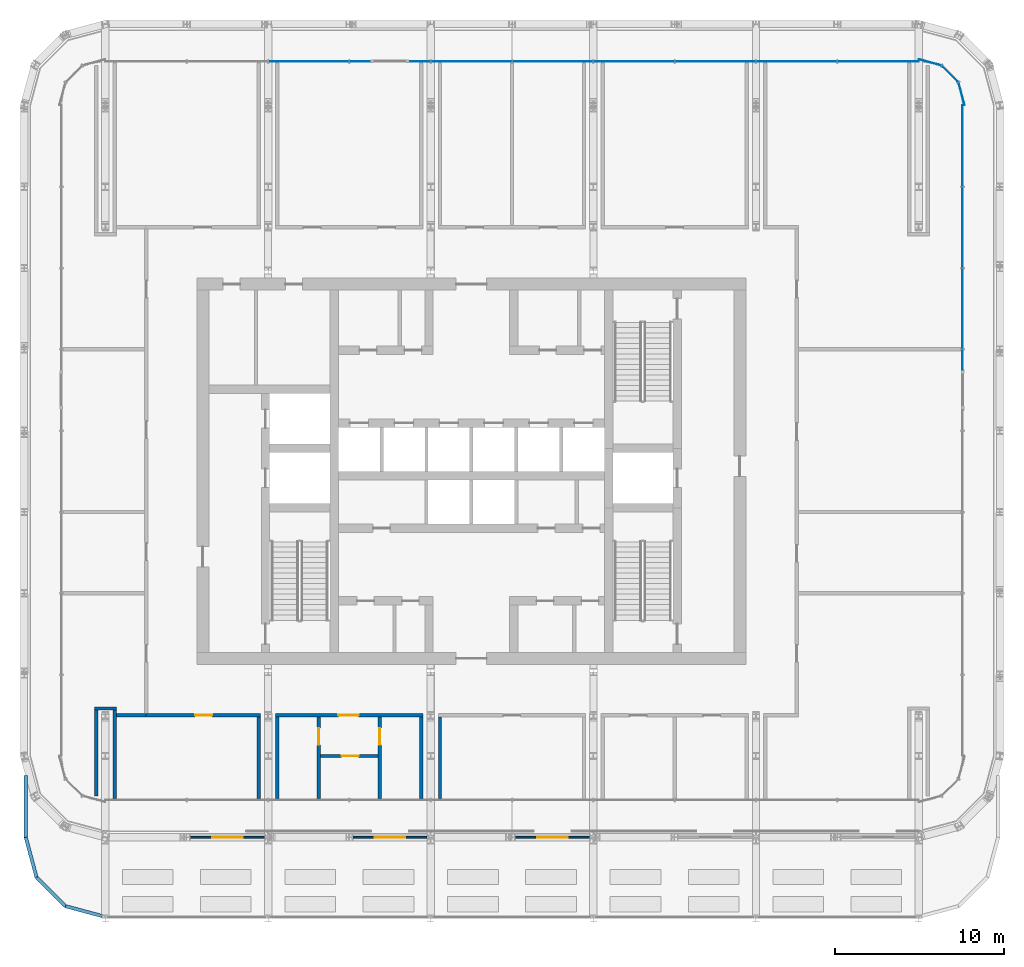
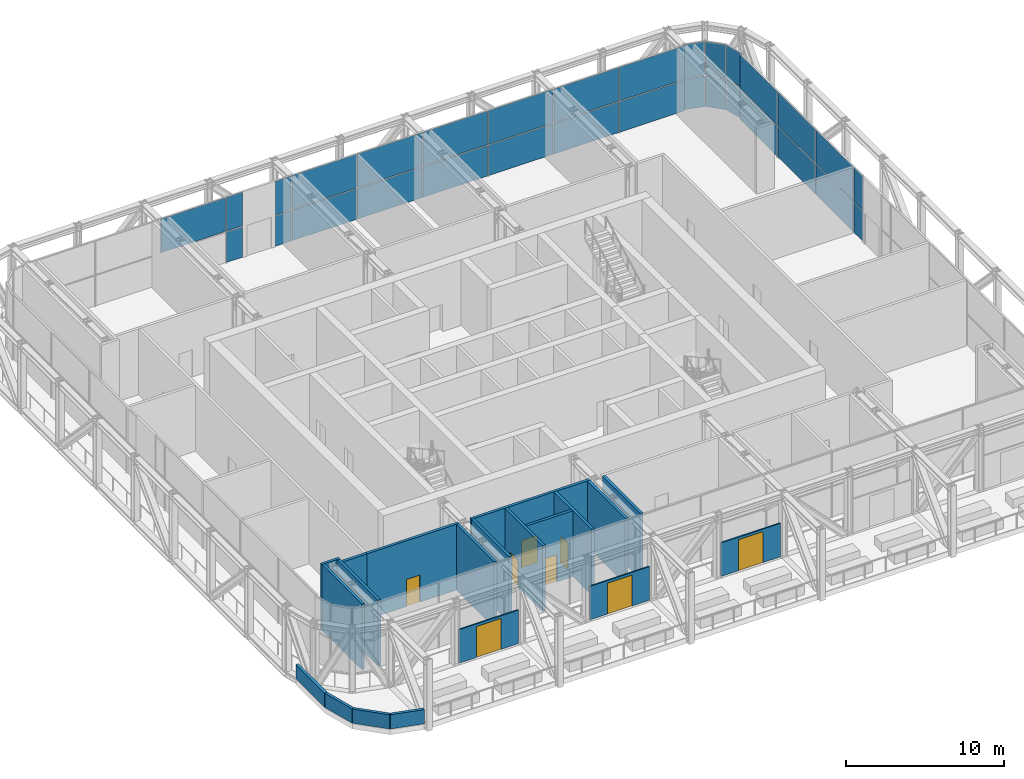
# One storey, part 13 of 22: 31 plates, 20 walls, 8 doors, 8 openings, 3 elements without a shape of their own.
"""IFC4 building model written with IfcOpenShell, lengths in metres."""

import ifcopenshell
import ifcopenshell.guid

model = None  # the IFC model being written
_history = None  # IfcOwnerHistory: only IFC2X3 demands one
_inside = {}  # id of a spatial element -> (the spatial element, [elements in it])
_under = {}  # id of a project, library or spatial element -> (it, [spatial elements below it])
_declared = {}  # id of a project -> (the project, [libraries it declares])
_typed = {}  # id of a type object -> (the type object, [elements of that type])
_made_of = {}  # id of a material, layer set ... -> (it, [elements and type objects made of it])


def new_model(schema):
    """Start an empty IFC model of exactly this schema.

    Asked for "IFC4X3", IfcOpenShell would pick the latest addendum, in which some entities
    have other attributes; the version numbers below select the first issue.
    IFC2X3 requires an IfcOwnerHistory on every rooted entity: one is made here for all.
    """
    global model, _history
    if schema == "IFC4X3":
        model = ifcopenshell.file(schema_version=(4, 3, 0, 0))
    else:
        model = ifcopenshell.file(schema=schema)
    _inside.clear()
    _under.clear()
    _declared.clear()
    _typed.clear()
    _made_of.clear()
    _history = None
    if model.schema == "IFC2X3":
        org = make("IfcOrganization", Name="unknown")
        user = make(
            "IfcPersonAndOrganization",
            ThePerson=make("IfcPerson", FamilyName="unknown"),
            TheOrganization=org,
        )
        app = make(
            "IfcApplication",
            ApplicationDeveloper=org,
            Version="unknown",
            ApplicationFullName="unknown",
            ApplicationIdentifier="unknown",
        )
        _history = make(
            "IfcOwnerHistory",
            OwningUser=user,
            OwningApplication=app,
            ChangeAction="ADDED",
            CreationDate=0,
        )
    return model


def make(cls, **values):
    """One entity of the class cls with the attributes given. An attribute that is None is left unset."""
    return model.create_entity(
        cls, **{name: value for name, value in values.items() if value is not None}
    )


def rooted(cls, **values):
    """An entity with a GlobalId (a new one), such as an element, a storey or a relation."""
    return make(cls, GlobalId=ifcopenshell.guid.new(), OwnerHistory=_history, **values)


def si_unit(unit_type, name, prefix=None):
    """IfcSIUnit, for example si_unit("LENGTHUNIT", "METRE", prefix="MILLI")."""
    return make("IfcSIUnit", UnitType=unit_type, Prefix=prefix, Name=name)


def assignment(units):
    """IfcUnitAssignment: the units of a project."""
    return None if units is None else make("IfcUnitAssignment", Units=units)


def point(xyz):
    """IfcCartesianPoint."""
    return None if xyz is None else make("IfcCartesianPoint", Coordinates=xyz)


def direction(xyz):
    """IfcDirection."""
    return None if xyz is None else make("IfcDirection", DirectionRatios=xyz)


def frame(location, z_axis=None, x_axis=None):
    """IfcAxis2Placement3D, a coordinate frame: its origin and axes. An axis left out is left unset."""
    return make(
        "IfcAxis2Placement3D",
        Location=point(location),
        Axis=direction(z_axis),
        RefDirection=direction(x_axis),
    )


def frame_2d(location, x_axis=None):
    """IfcAxis2Placement2D, a coordinate frame in the plane: its origin and x axis."""
    return make(
        "IfcAxis2Placement2D", Location=point(location), RefDirection=direction(x_axis)
    )


def origin():
    """The frame at (0, 0, 0) with its axes left unset."""
    return frame((0.0, 0.0, 0.0))


def origin_2d():
    """The frame at (0, 0) in the plane with its x axis left unset."""
    return frame_2d((0.0, 0.0))


def place(relative_to, where):
    """IfcLocalPlacement: puts the frame where relative to a parent placement (None: the world)."""
    return make(
        "IfcLocalPlacement", PlacementRelTo=relative_to, RelativePlacement=where
    )


def context(
    kind, dimensions, precision=None, world=None, true_north=None, identifier=None
):
    """IfcGeometricRepresentationContext, for example the 3D "Model" context."""
    return make(
        "IfcGeometricRepresentationContext",
        ContextIdentifier=identifier,
        ContextType=kind,
        CoordinateSpaceDimension=dimensions,
        Precision=precision,
        WorldCoordinateSystem=world,
        TrueNorth=true_north,
    )


def subcontext(parent, identifier, kind, view, scale=None):
    """IfcGeometricRepresentationSubContext, for example "Body" below "Model"."""
    return make(
        "IfcGeometricRepresentationSubContext",
        ContextIdentifier=identifier,
        ContextType=kind,
        ParentContext=parent,
        TargetScale=scale,
        TargetView=view,
    )


def project(units=None, contexts=None):
    """IfcProject with its units and contexts."""
    return rooted(
        "IfcProject",
        Name="project",
        RepresentationContexts=contexts,
        UnitsInContext=assignment(units),
    )


def spatial(cls, under=None, at=None, **own):
    """A site, building, storey or space (cls), placed at a placement, below another one or the project."""
    s = rooted(cls, ObjectPlacement=at, **own)
    if under is not None:
        _under.setdefault(under.id(), (under, []))[1].append(s)
    return s


def profile(cls, at=None, kind="AREA", **sizes):
    """A parametric profile (cls). Its sizes go by their IFC names, for example OverallWidth=200.0."""
    return make(cls, ProfileType=kind, Position=at, **sizes)


def rectangle(**sizes):
    """IfcRectangleProfileDef."""
    return profile("IfcRectangleProfileDef", **sizes)


def extrude(swept, where, along, depth):
    """IfcExtrudedAreaSolid: the profile swept, set in the frame where, extruded along a direction by depth."""
    return make(
        "IfcExtrudedAreaSolid",
        SweptArea=swept,
        Position=where,
        ExtrudedDirection=direction(along),
        Depth=depth,
    )


def shape(context_of_items, identifier, shape_type, items):
    """IfcShapeRepresentation: the items that make up one representation, for example the "Body"."""
    return make(
        "IfcShapeRepresentation",
        ContextOfItems=context_of_items,
        RepresentationIdentifier=identifier,
        RepresentationType=shape_type,
        Items=items,
    )


def material(Name=None, Category=None):
    """IfcMaterial."""
    return make("IfcMaterial", Name=Name, Category=Category)


def layer(
    of_material, thickness, ventilated=None, Name=None, Category=None, Priority=None
):
    """IfcMaterialLayer: one layer of a wall or slab, of a material (None: an air gap)."""
    return make(
        "IfcMaterialLayer",
        Material=of_material,
        LayerThickness=thickness,
        IsVentilated=ventilated,
        Name=Name,
        Category=Category,
        Priority=Priority,
    )


def layer_set(layers, Name=None):
    """IfcMaterialLayerSet."""
    return make("IfcMaterialLayerSet", MaterialLayers=layers, LayerSetName=Name)


def made_of(thing, what):
    """Note that an element or type object is made of a material, layer set ...; save() writes the relation."""
    if what is not None:
        _made_of.setdefault(what.id(), (what, []))[1].append(thing)
    return thing


def type_object(cls, material=None, **own):
    """A type object (cls), such as IfcWallType, which elements share."""
    return made_of(rooted(cls, **own), material)


def element(
    cls,
    number,
    at=None,
    inside=None,
    cuts=None,
    type_object=None,
    material=None,
    context=None,
    identifier="Body",
    shape_type=None,
    held_by="IfcProductDefinitionShape",
    body=None,
    shapes=None,
    **own,
):
    """One element of the class cls, such as IfcWall. Its Tag is "e" and its number.

    at: its placement. inside: the storey or other place that contains it. cuts: it is an
    opening in that element (IfcRelVoidsElement). A single representation is given by context,
    identifier, shape_type and body (its items); several are given by shapes. held_by: the class
    of the entity that holds the representations. save() writes the other relations.
    """
    e = rooted(cls, Tag="e%d" % number, ObjectPlacement=at, **own)
    if body is not None:
        shapes = [shape(context, identifier, shape_type, body)]
    if shapes is not None:
        e.Representation = make(held_by, Representations=shapes)
    if inside is not None:
        _inside.setdefault(inside.id(), (inside, []))[1].append(e)
    if cuts is not None:
        rooted(
            "IfcRelVoidsElement", RelatingBuildingElement=cuts, RelatedOpeningElement=e
        )
    if type_object is not None:
        _typed.setdefault(type_object.id(), (type_object, []))[1].append(e)
    return made_of(e, material)


def fill(opening, filler):
    """IfcRelFillsElement: the door or window that sits in an opening."""
    return rooted(
        "IfcRelFillsElement",
        RelatingOpeningElement=opening,
        RelatedBuildingElement=filler,
    )


def aggregate(whole, parts):
    """IfcRelAggregates: a whole, such as a stair, and the parts it consists of."""
    return rooted("IfcRelAggregates", RelatingObject=whole, RelatedObjects=parts)


def save(model, path):
    """Write the relations noted so far, then the file.

    IfcRelAggregates (storeys below a building ...), IfcRelContainedInSpatialStructure (elements
    in a storey), IfcRelDefinesByType, IfcRelAssociatesMaterial and IfcRelDeclares: one each for
    every whole, place, type object, material and project.
    """
    for whole, parts in _under.values():
        aggregate(whole, parts)
    for where, things in _inside.values():
        rooted(
            "IfcRelContainedInSpatialStructure",
            RelatedElements=things,
            RelatingStructure=where,
        )
    for kind, things in _typed.values():
        rooted("IfcRelDefinesByType", RelatedObjects=things, RelatingType=kind)
    for what, things in _made_of.values():
        rooted("IfcRelAssociatesMaterial", RelatedObjects=things, RelatingMaterial=what)
    for by, libraries in _declared.values():
        rooted("IfcRelDeclares", RelatingContext=by, RelatedDefinitions=libraries)
    model.write(path)


model = new_model("IFC4")

# Units and contexts
model_context = context("Model", 3, precision=1e-05, world=origin(), true_north=direction((0.0, 1.0)))
body_context = subcontext(model_context, "Body", "Model", "MODEL_VIEW")
ifc_project = project(units=[si_unit("LENGTHUNIT", "METRE"), si_unit("AREAUNIT", "SQUARE_METRE"), si_unit("VOLUMEUNIT", "CUBIC_METRE"), si_unit("PLANEANGLEUNIT", "RADIAN"), si_unit("MASSUNIT", "GRAM", prefix="KILO")], contexts=[model_context])

# Site, building, storey
site_placement = place(None, origin())
site = spatial("IfcSite", under=ifc_project, at=site_placement, CompositionType="ELEMENT")
building_placement = place(site_placement, origin())
building = spatial("IfcBuilding", under=site, at=building_placement, Name="Madar Terraces", CompositionType="ELEMENT")
storey_placement = place(building_placement, frame((0.0, 0.0, 203.39990234375)))
storey = spatial("IfcBuildingStorey", under=building, at=storey_placement, Name="L53", CompositionType="ELEMENT", Elevation=203.39990234375)

# Curtain wall, plates
ifc_material_1 = material(Name="Glass, ceramic frit dark grey, with black aluminium frame", Category="aluminium")
ifc_layer_1 = layer(ifc_material_1, 0.199951171875)
ifc_layer_set_1 = layer_set([ifc_layer_1], Name="Facade curtain wall, tall glazing")
curtain_wall_type = type_object("IfcCurtainWallType", Name="Facade curtain wall, tall glazing", PredefinedType="NOTDEFINED", material=ifc_layer_set_1)
curtain_wall_1_placement = place(storey_placement, origin())
curtain_wall_1 = element("IfcCurtainWall", 1, at=curtain_wall_1_placement, inside=storey, type_object=curtain_wall_type, Name="Outer skin curtain wall east bay 1", PredefinedType="NOTDEFINED")
ifc_material_2 = material(Name="Glass, ceramic frit dark grey", Category="glass")
ifc_layer_2 = layer(ifc_material_2, 0.028076171875)
ifc_layer_set_2 = layer_set([ifc_layer_2], Name="Facade glass panel 28")
plate_type = type_object("IfcPlateType", Name="Facade glass panel 28", PredefinedType="CURTAIN_PANEL", material=ifc_layer_set_2)
plate_1_placement = place(storey_placement, frame((60.199951171875, 32.985107421875, 0.0), z_axis=(0.0, 0.0, 1.0), x_axis=(0.0, 1.0, 0.0)))
plate_1 = element("IfcPlate", 2, at=plate_1_placement, type_object=plate_type, Name="Panel 11", PredefinedType="CURTAIN_PANEL", context=body_context, shape_type="SweptSolid", body=[
    extrude(rectangle(XDim=1.169921875, YDim=0.028076171875, at=origin_2d()), origin(), (0.0, 0.0, 1.0), 2.3701171875),
])
plate_2_placement = place(storey_placement, frame((60.199951171875, 32.985107421875, 2.43017578125), z_axis=(0.0, 0.0, 1.0), x_axis=(0.0, 1.0, 0.0)))
plate_2 = element("IfcPlate", 3, at=plate_2_placement, type_object=plate_type, Name="Panel 12", PredefinedType="CURTAIN_PANEL", context=body_context, shape_type="SweptSolid", body=[
    extrude(rectangle(XDim=1.169921875, YDim=0.028076171875, at=origin_2d()), origin(), (0.0, 0.0, 1.0), 2.610107421875),
])
plate_3_placement = place(storey_placement, frame((60.199951171875, 36.0, 0.0), z_axis=(0.0, 0.0, 1.0), x_axis=(0.0, 1.0, 0.0)))
plate_3 = element("IfcPlate", 4, at=plate_3_placement, type_object=plate_type, Name="Panel 13", PredefinedType="CURTAIN_PANEL", context=body_context, shape_type="SweptSolid", body=[
    extrude(rectangle(XDim=4.739990234375, YDim=0.028076171875, at=origin_2d()), origin(), (0.0, 0.0, 1.0), 2.3701171875),
])
plate_4_placement = place(storey_placement, frame((60.199951171875, 36.0, 2.43017578125), z_axis=(0.0, 0.0, 1.0), x_axis=(0.0, 1.0, 0.0)))
plate_4 = element("IfcPlate", 5, at=plate_4_placement, type_object=plate_type, Name="Panel 14", PredefinedType="CURTAIN_PANEL", context=body_context, shape_type="SweptSolid", body=[
    extrude(rectangle(XDim=4.739990234375, YDim=0.028076171875, at=origin_2d()), origin(), (0.0, 0.0, 1.0), 2.610107421875),
])
plate_5_placement = place(storey_placement, frame((60.199951171875, 40.800048828125, 0.0), z_axis=(0.0, 0.0, 1.0), x_axis=(0.0, 1.0, 0.0)))
plate_5 = element("IfcPlate", 6, at=plate_5_placement, type_object=plate_type, Name="Panel 15", PredefinedType="CURTAIN_PANEL", context=body_context, shape_type="SweptSolid", body=[
    extrude(rectangle(XDim=4.739990234375, YDim=0.028076171875, at=origin_2d()), origin(), (0.0, 0.0, 1.0), 2.3701171875),
])
plate_6_placement = place(storey_placement, frame((60.199951171875, 40.800048828125, 2.43017578125), z_axis=(0.0, 0.0, 1.0), x_axis=(0.0, 1.0, 0.0)))
plate_6 = element("IfcPlate", 7, at=plate_6_placement, type_object=plate_type, Name="Panel 16", PredefinedType="CURTAIN_PANEL", context=body_context, shape_type="SweptSolid", body=[
    extrude(rectangle(XDim=4.739990234375, YDim=0.028076171875, at=origin_2d()), origin(), (0.0, 0.0, 1.0), 2.610107421875),
])
plate_7_placement = place(storey_placement, frame((60.199951171875, 45.614990234375, 0.0), z_axis=(0.0, 0.0, 1.0), x_axis=(0.0, 1.0, 0.0)))
plate_7 = element("IfcPlate", 8, at=plate_7_placement, type_object=plate_type, Name="Panel 17", PredefinedType="CURTAIN_PANEL", context=body_context, shape_type="SweptSolid", body=[
    extrude(rectangle(XDim=4.77001953125, YDim=0.028076171875, at=origin_2d()), origin(), (0.0, 0.0, 1.0), 2.3701171875),
])
plate_8_placement = place(storey_placement, frame((60.199951171875, 45.614990234375, 2.43017578125), z_axis=(0.0, 0.0, 1.0), x_axis=(0.0, 1.0, 0.0)))
plate_8 = element("IfcPlate", 9, at=plate_8_placement, type_object=plate_type, Name="Panel 18", PredefinedType="CURTAIN_PANEL", context=body_context, shape_type="SweptSolid", body=[
    extrude(rectangle(XDim=4.77001953125, YDim=0.028076171875, at=origin_2d()), origin(), (0.0, 0.0, 1.0), 2.610107421875),
])
aggregate(curtain_wall_1, [plate_1, plate_2, plate_3, plate_4, plate_5, plate_6, plate_7, plate_8])

curtain_wall_2_placement = place(storey_placement, origin())
curtain_wall_2 = element("IfcCurtainWall", 10, at=curtain_wall_2_placement, inside=storey, type_object=curtain_wall_type, Name="Outer skin curtain wall north bay 1", PredefinedType="NOTDEFINED")
plate_9_placement = place(storey_placement, frame((55.215087890625, 50.60009765625, 0.0), z_axis=(0.0, 0.0, 1.0), x_axis=(-1.0, 0.0, 0.0)))
plate_9 = element("IfcPlate", 11, at=plate_9_placement, type_object=plate_type, Name="Panel 1", PredefinedType="CURTAIN_PANEL", context=body_context, shape_type="SweptSolid", body=[
    extrude(rectangle(XDim=4.77001953125, YDim=0.028076171875, at=origin_2d()), origin(), (0.0, 0.0, 1.0), 2.3701171875),
])
plate_10_placement = place(storey_placement, frame((55.215087890625, 50.60009765625, 2.43017578125), z_axis=(0.0, 0.0, 1.0), x_axis=(-1.0, 0.0, 0.0)))
plate_10 = element("IfcPlate", 12, at=plate_10_placement, type_object=plate_type, Name="Panel 2", PredefinedType="CURTAIN_PANEL", context=body_context, shape_type="SweptSolid", body=[
    extrude(rectangle(XDim=4.77001953125, YDim=0.028076171875, at=origin_2d()), origin(), (0.0, 0.0, 1.0), 2.610107421875),
])
plate_11_placement = place(storey_placement, frame((50.39990234375, 50.60009765625, 0.0), z_axis=(0.0, 0.0, 1.0), x_axis=(-1.0, 0.0, 0.0)))
plate_11 = element("IfcPlate", 13, at=plate_11_placement, type_object=plate_type, Name="Panel 3", PredefinedType="CURTAIN_PANEL", context=body_context, shape_type="SweptSolid", body=[
    extrude(rectangle(XDim=4.739990234375, YDim=0.028076171875, at=origin_2d()), origin(), (0.0, 0.0, 1.0), 2.3701171875),
])
plate_12_placement = place(storey_placement, frame((50.39990234375, 50.60009765625, 2.43017578125), z_axis=(0.0, 0.0, 1.0), x_axis=(-1.0, 0.0, 0.0)))
plate_12 = element("IfcPlate", 14, at=plate_12_placement, type_object=plate_type, Name="Panel 4", PredefinedType="CURTAIN_PANEL", context=body_context, shape_type="SweptSolid", body=[
    extrude(rectangle(XDim=4.739990234375, YDim=0.028076171875, at=origin_2d()), origin(), (0.0, 0.0, 1.0), 2.610107421875),
])
plate_13_placement = place(storey_placement, frame((45.60009765625, 50.60009765625, 0.0), z_axis=(0.0, 0.0, 1.0), x_axis=(-1.0, 0.0, 0.0)))
plate_13 = element("IfcPlate", 15, at=plate_13_placement, type_object=plate_type, Name="Panel 5", PredefinedType="CURTAIN_PANEL", context=body_context, shape_type="SweptSolid", body=[
    extrude(rectangle(XDim=4.739990234375, YDim=0.028076171875, at=origin_2d()), origin(), (0.0, 0.0, 1.0), 2.3701171875),
])
plate_14_placement = place(storey_placement, frame((45.60009765625, 50.60009765625, 2.43017578125), z_axis=(0.0, 0.0, 1.0), x_axis=(-1.0, 0.0, 0.0)))
plate_14 = element("IfcPlate", 16, at=plate_14_placement, type_object=plate_type, Name="Panel 6", PredefinedType="CURTAIN_PANEL", context=body_context, shape_type="SweptSolid", body=[
    extrude(rectangle(XDim=4.739990234375, YDim=0.028076171875, at=origin_2d()), origin(), (0.0, 0.0, 1.0), 2.610107421875),
])
plate_15_placement = place(storey_placement, frame((40.800048828125, 50.60009765625, 0.0), z_axis=(0.0, 0.0, 1.0), x_axis=(-1.0, 0.0, 0.0)))
plate_15 = element("IfcPlate", 17, at=plate_15_placement, type_object=plate_type, Name="Panel 7", PredefinedType="CURTAIN_PANEL", context=body_context, shape_type="SweptSolid", body=[
    extrude(rectangle(XDim=4.739990234375, YDim=0.028076171875, at=origin_2d()), origin(), (0.0, 0.0, 1.0), 2.3701171875),
])
plate_16_placement = place(storey_placement, frame((40.800048828125, 50.60009765625, 2.43017578125), z_axis=(0.0, 0.0, 1.0), x_axis=(-1.0, 0.0, 0.0)))
plate_16 = element("IfcPlate", 18, at=plate_16_placement, type_object=plate_type, Name="Panel 8", PredefinedType="CURTAIN_PANEL", context=body_context, shape_type="SweptSolid", body=[
    extrude(rectangle(XDim=4.739990234375, YDim=0.028076171875, at=origin_2d()), origin(), (0.0, 0.0, 1.0), 2.610107421875),
])
plate_17_placement = place(storey_placement, frame((36.0, 50.60009765625, 0.0), z_axis=(0.0, 0.0, 1.0), x_axis=(-1.0, 0.0, 0.0)))
plate_17 = element("IfcPlate", 19, at=plate_17_placement, type_object=plate_type, Name="Panel 9", PredefinedType="CURTAIN_PANEL", context=body_context, shape_type="SweptSolid", body=[
    extrude(rectangle(XDim=4.739990234375, YDim=0.028076171875, at=origin_2d()), origin(), (0.0, 0.0, 1.0), 2.3701171875),
])
plate_18_placement = place(storey_placement, frame((36.0, 50.60009765625, 2.43017578125), z_axis=(0.0, 0.0, 1.0), x_axis=(-1.0, 0.0, 0.0)))
plate_18 = element("IfcPlate", 20, at=plate_18_placement, type_object=plate_type, Name="Panel 10", PredefinedType="CURTAIN_PANEL", context=body_context, shape_type="SweptSolid", body=[
    extrude(rectangle(XDim=4.739990234375, YDim=0.028076171875, at=origin_2d()), origin(), (0.0, 0.0, 1.0), 2.610107421875),
])
plate_19_placement = place(storey_placement, frame((31.199951171875, 50.60009765625, 0.0), z_axis=(0.0, 0.0, 1.0), x_axis=(-1.0, 0.0, 0.0)))
plate_19 = element("IfcPlate", 21, at=plate_19_placement, type_object=plate_type, Name="Panel 11", PredefinedType="CURTAIN_PANEL", context=body_context, shape_type="SweptSolid", body=[
    extrude(rectangle(XDim=4.739990234375, YDim=0.028076171875, at=origin_2d()), origin(), (0.0, 0.0, 1.0), 2.3701171875),
])
plate_20_placement = place(storey_placement, frame((31.199951171875, 50.60009765625, 2.43017578125), z_axis=(0.0, 0.0, 1.0), x_axis=(-1.0, 0.0, 0.0)))
plate_20 = element("IfcPlate", 22, at=plate_20_placement, type_object=plate_type, Name="Panel 12", PredefinedType="CURTAIN_PANEL", context=body_context, shape_type="SweptSolid", body=[
    extrude(rectangle(XDim=4.739990234375, YDim=0.028076171875, at=origin_2d()), origin(), (0.0, 0.0, 1.0), 2.610107421875),
])
plate_21_placement = place(storey_placement, frame((28.18505859375, 50.60009765625, 0.0), z_axis=(0.0, 0.0, 1.0), x_axis=(-1.0, 0.0, 0.0)))
plate_21 = element("IfcPlate", 23, at=plate_21_placement, type_object=plate_type, Name="Panel 13", PredefinedType="CURTAIN_PANEL", context=body_context, shape_type="SweptSolid", body=[
    extrude(rectangle(XDim=1.169921875, YDim=0.028076171875, at=origin_2d()), origin(), (0.0, 0.0, 1.0), 2.3701171875),
])
plate_22_placement = place(storey_placement, frame((28.18505859375, 50.60009765625, 2.43017578125), z_axis=(0.0, 0.0, 1.0), x_axis=(-1.0, 0.0, 0.0)))
plate_22 = element("IfcPlate", 24, at=plate_22_placement, type_object=plate_type, Name="Panel 14", PredefinedType="CURTAIN_PANEL", context=body_context, shape_type="SweptSolid", body=[
    extrude(rectangle(XDim=1.169921875, YDim=0.028076171875, at=origin_2d()), origin(), (0.0, 0.0, 1.0), 2.610107421875),
])
plate_23_placement = place(storey_placement, frame((24.614990234375, 50.60009765625, 0.0), z_axis=(0.0, 0.0, 1.0), x_axis=(-1.0, 0.0, 0.0)))
plate_23 = element("IfcPlate", 25, at=plate_23_placement, type_object=plate_type, Name="Panel 15", PredefinedType="CURTAIN_PANEL", context=body_context, shape_type="SweptSolid", body=[
    extrude(rectangle(XDim=1.169921875, YDim=0.028076171875, at=origin_2d()), origin(), (0.0, 0.0, 1.0), 2.3701171875),
])
plate_24_placement = place(storey_placement, frame((24.614990234375, 50.60009765625, 2.43017578125), z_axis=(0.0, 0.0, 1.0), x_axis=(-1.0, 0.0, 0.0)))
plate_24 = element("IfcPlate", 26, at=plate_24_placement, type_object=plate_type, Name="Panel 16", PredefinedType="CURTAIN_PANEL", context=body_context, shape_type="SweptSolid", body=[
    extrude(rectangle(XDim=1.169921875, YDim=0.028076171875, at=origin_2d()), origin(), (0.0, 0.0, 1.0), 2.610107421875),
])
plate_25_placement = place(storey_placement, frame((21.60009765625, 50.60009765625, 2.43017578125), z_axis=(0.0, 0.0, 1.0), x_axis=(-1.0, 0.0, 0.0)))
plate_25 = element("IfcPlate", 27, at=plate_25_placement, type_object=plate_type, Name="Panel 18", PredefinedType="CURTAIN_PANEL", context=body_context, shape_type="SweptSolid", body=[
    extrude(rectangle(XDim=4.739990234375, YDim=0.028076171875, at=origin_2d()), origin(), (0.0, 0.0, 1.0), 2.610107421875),
])
aggregate(curtain_wall_2, [plate_9, plate_10, plate_11, plate_12, plate_13, plate_14, plate_15, plate_16, plate_17, plate_18, plate_19, plate_20, plate_21, plate_22, plate_23, plate_24, plate_25])

curtain_wall_3_placement = place(storey_placement, origin())
curtain_wall_3 = element("IfcCurtainWall", 28, at=curtain_wall_3_placement, inside=storey, type_object=curtain_wall_type, Name="Outer skin curtain wall north-east corner", PredefinedType="NOTDEFINED")
plate_26_placement = place(storey_placement, frame((60.1416015625, 48.66552734375, 0.0), z_axis=(0.0, 0.0, 1.0), x_axis=(-0.258819110244, 0.965925808834, 0.0)))
plate_26 = element("IfcPlate", 29, at=plate_26_placement, type_object=plate_type, Name="Panel 1", PredefinedType="CURTAIN_PANEL", context=body_context, shape_type="SweptSolid", body=[
    extrude(rectangle(XDim=1.3779296875, YDim=0.028076171875, at=origin_2d()), origin(), (0.0, 0.0, 1.0), 2.3701171875),
])
plate_27_placement = place(storey_placement, frame((60.1416015625, 48.66552734375, 2.43017578125), z_axis=(0.0, 0.0, 1.0), x_axis=(-0.258819110244, 0.965925808834, 0.0)))
plate_27 = element("IfcPlate", 30, at=plate_27_placement, type_object=plate_type, Name="Panel 2", PredefinedType="CURTAIN_PANEL", context=body_context, shape_type="SweptSolid", body=[
    extrude(rectangle(XDim=1.3779296875, YDim=0.028076171875, at=origin_2d()), origin(), (0.0, 0.0, 1.0), 2.610107421875),
])
plate_28_placement = place(storey_placement, frame((59.457763671875, 49.85791015625, 0.0), z_axis=(0.0, 0.0, 1.0), x_axis=(-0.707106781187, 0.707106781187, 0.0)))
plate_28 = element("IfcPlate", 31, at=plate_28_placement, type_object=plate_type, Name="Panel 3", PredefinedType="CURTAIN_PANEL", context=body_context, shape_type="SweptSolid", body=[
    extrude(rectangle(XDim=1.347900390625, YDim=0.028076171875, at=origin_2d()), origin(), (0.0, 0.0, 1.0), 2.3701171875),
])
plate_29_placement = place(storey_placement, frame((59.457763671875, 49.85791015625, 2.43017578125), z_axis=(0.0, 0.0, 1.0), x_axis=(-0.707106781187, 0.707106781187, 0.0)))
plate_29 = element("IfcPlate", 32, at=plate_29_placement, type_object=plate_type, Name="Panel 4", PredefinedType="CURTAIN_PANEL", context=body_context, shape_type="SweptSolid", body=[
    extrude(rectangle(XDim=1.347900390625, YDim=0.028076171875, at=origin_2d()), origin(), (0.0, 0.0, 1.0), 2.610107421875),
])
plate_30_placement = place(storey_placement, frame((58.265625, 50.541748046875, 0.0), z_axis=(0.0, 0.0, 1.0), x_axis=(-0.965925808834, 0.258819110244, 0.0)))
plate_30 = element("IfcPlate", 33, at=plate_30_placement, type_object=plate_type, Name="Panel 5", PredefinedType="CURTAIN_PANEL", context=body_context, shape_type="SweptSolid", body=[
    extrude(rectangle(XDim=1.3779296875, YDim=0.028076171875, at=origin_2d()), origin(), (0.0, 0.0, 1.0), 2.3701171875),
])
plate_31_placement = place(storey_placement, frame((58.265625, 50.541748046875, 2.43017578125), z_axis=(0.0, 0.0, 1.0), x_axis=(-0.965925808834, 0.258819110244, 0.0)))
plate_31 = element("IfcPlate", 34, at=plate_31_placement, type_object=plate_type, Name="Panel 6", PredefinedType="CURTAIN_PANEL", context=body_context, shape_type="SweptSolid", body=[
    extrude(rectangle(XDim=1.3779296875, YDim=0.028076171875, at=origin_2d()), origin(), (0.0, 0.0, 1.0), 2.610107421875),
])
aggregate(curtain_wall_3, [plate_26, plate_27, plate_28, plate_29, plate_30, plate_31])

# Wall, opening, door
ifc_material_3 = material(Name="Gypsum board partition, fire-rated")
ifc_layer_3 = layer(ifc_material_3, 0.199951171875)
ifc_layer_set_3 = layer_set([ifc_layer_3], Name="Partition 200 EI 60")
wall_type_1 = type_object("IfcWallType", Name="Partition 200 EI 60", PredefinedType="PARTITIONING", material=ifc_layer_set_3)
wall_1_placement = place(storey_placement, frame((25.699951171875, 9.60009765625, 0.0), z_axis=(0.0, 0.0, 1.0), x_axis=(-1.0, 0.0, 0.0)))
wall_1 = element("IfcWall", 35, at=wall_1_placement, inside=storey, type_object=wall_type_1, Name="Wall WC LOBBY / ACCESSIBLE WC", PredefinedType="PARTITIONING", context=body_context, shape_type="SweptSolid", body=[
    extrude(rectangle(XDim=3.39990234375, YDim=0.199951171875, at=frame_2d((1.699951171875, 0.0))), origin(), (0.0, 0.0, 1.0), 5.10009765625),
])
opening_1_placement = place(wall_1_placement, frame((1.14990234375, 0.0, 0.0)))
opening_1 = element("IfcOpeningElement", 36, at=opening_1_placement, cuts=wall_1, Name="Opening D31", PredefinedType="OPENING", context=body_context, shape_type="SweptSolid", body=[
    extrude(rectangle(XDim=1.0, YDim=2.10009765625, at=frame_2d((0.5, 1.050048828125))), frame((0.0, 0.10986328125, 0.0), z_axis=(0.0, -1.0, 0.0), x_axis=(1.0, 0.0, 0.0)), (0.0, 0.0, 1.0), 0.219970703125),
])
ifc_material_4 = material(Name="Timber door leaf, fire-rated", Category="wood")
door_type_1 = type_object("IfcDoorType", Name="Podium door 1000 x 2100 FD30S", OperationType="NOTDEFINED", PredefinedType="DOOR", material=ifc_material_4)
door_1_placement = place(opening_1_placement, origin())
door_1 = element("IfcDoor", 37, at=door_1_placement, inside=storey, type_object=door_type_1, Name="Door WC LOBBY / ACCESSIBLE WC", OperationType="SINGLE_SWING_LEFT", OverallHeight=2.10009765625, OverallWidth=1.0, PredefinedType="DOOR", context=body_context, shape_type="SweptSolid", body=[
    extrude(rectangle(XDim=1.0, YDim=2.10009765625, at=frame_2d((0.5, 1.050048828125))), frame((0.0, 0.02490234375, 0.0), z_axis=(0.0, -1.0, 0.0), x_axis=(1.0, 0.0, 0.0)), (0.0, 0.0, 1.0), 0.050048828125),
])
fill(opening_1, door_1)

# Wall
wall_2_placement = place(storey_placement, frame((10.25, 12.0, 0.0), z_axis=(0.0, 0.0, 1.0), x_axis=(1.0, 0.0, 0.0)))
element("IfcWall", 38, at=wall_2_placement, inside=storey, type_object=wall_type_1, Name="Wall HOBBY ROOM / OFFICE", PredefinedType="PARTITIONING", context=body_context, shape_type="SweptSolid", body=[
    extrude(rectangle(XDim=1.75, YDim=0.199951171875, at=frame_2d((0.875, 0.0))), origin(), (0.0, 0.0, 1.0), 5.10009765625),
])

# Wall, opening, door
wall_3_placement = place(storey_placement, frame((18.75, 12.0, 0.0), z_axis=(0.0, 0.0, 1.0), x_axis=(-1.0, 0.0, 0.0)))
wall_3 = element("IfcWall", 39, at=wall_3_placement, inside=storey, type_object=wall_type_1, Name="Wall HOBBY ROOM / RING CORRIDOR", PredefinedType="PARTITIONING", context=body_context, shape_type="SweptSolid", body=[
    extrude(rectangle(XDim=6.75, YDim=0.199951171875, at=frame_2d((3.375, 0.0))), origin(), (0.0, 0.0, 1.0), 5.10009765625),
])
opening_2_placement = place(wall_3_placement, frame((2.85009765625, 0.0, 0.0)))
opening_2 = element("IfcOpeningElement", 40, at=opening_2_placement, cuts=wall_3, Name="Opening D31", PredefinedType="OPENING", context=body_context, shape_type="SweptSolid", body=[
    extrude(rectangle(XDim=1.0, YDim=2.10009765625, at=frame_2d((0.5, 1.050048828125))), frame((0.0, 0.10986328125, 0.0), z_axis=(0.0, -1.0, 0.0), x_axis=(1.0, 0.0, 0.0)), (0.0, 0.0, 1.0), 0.219970703125),
])
door_2_placement = place(opening_2_placement, origin())
door_2 = element("IfcDoor", 41, at=door_2_placement, inside=storey, type_object=door_type_1, Name="Door HOBBY ROOM / RING CORRIDOR", OperationType="SINGLE_SWING_LEFT", OverallHeight=2.10009765625, OverallWidth=1.0, PredefinedType="DOOR", context=body_context, shape_type="SweptSolid", body=[
    extrude(rectangle(XDim=1.0, YDim=2.10009765625, at=frame_2d((0.5, 1.050048828125))), frame((0.0, 0.02490234375, 0.0), z_axis=(0.0, -1.0, 0.0), x_axis=(1.0, 0.0, 0.0)), (0.0, 0.0, 1.0), 0.050048828125),
])
fill(opening_2, door_2)

wall_4_placement = place(storey_placement, frame((19.64990234375, 12.0, 0.0), z_axis=(0.0, 0.0, 1.0), x_axis=(1.0, 0.0, 0.0)))
wall_4 = element("IfcWall", 42, at=wall_4_placement, inside=storey, type_object=wall_type_1, Name="Wall WC LOBBY + WC MEN", PredefinedType="PARTITIONING", context=body_context, shape_type="SweptSolid", body=[
    extrude(rectangle(XDim=8.7001953125, YDim=0.199951171875, at=frame_2d((4.35009765625, 0.0))), origin(), (0.0, 0.0, 1.0), 5.10009765625),
])
opening_3_placement = place(wall_4_placement, frame((3.699951171875, 0.0, 0.0)))
opening_3 = element("IfcOpeningElement", 43, at=opening_3_placement, cuts=wall_4, Name="Opening D32", PredefinedType="OPENING", context=body_context, shape_type="SweptSolid", body=[
    extrude(rectangle(XDim=1.199951171875, YDim=2.10009765625, at=frame_2d((0.60009765625, 1.050048828125))), frame((0.0, 0.10986328125, 0.0), z_axis=(0.0, -1.0, 0.0), x_axis=(1.0, 0.0, 0.0)), (0.0, 0.0, 1.0), 0.219970703125),
])
ifc_material_5 = material(Name="Timber door leaf, fire-rated", Category="wood")
door_type_2 = type_object("IfcDoorType", Name="Podium door 1200 x 2100 FD30S", OperationType="NOTDEFINED", PredefinedType="DOOR", material=ifc_material_5)
door_3_placement = place(opening_3_placement, origin())
door_3 = element("IfcDoor", 44, at=door_3_placement, inside=storey, type_object=door_type_2, Name="Door WC LOBBY / RING CORRIDOR", OperationType="SINGLE_SWING_LEFT", OverallHeight=2.10009765625, OverallWidth=1.199951171875, PredefinedType="DOOR", context=body_context, shape_type="SweptSolid", body=[
    extrude(rectangle(XDim=1.199951171875, YDim=2.10009765625, at=frame_2d((0.60009765625, 1.050048828125))), frame((0.0, 0.02490234375, 0.0), z_axis=(0.0, -1.0, 0.0), x_axis=(1.0, 0.0, 0.0)), (0.0, 0.0, 1.0), 0.050048828125),
])
fill(opening_3, door_3)

wall_5_placement = place(storey_placement, frame((22.199951171875, 7.10009765625, 0.0), z_axis=(0.0, 0.0, 1.0), x_axis=(0.0, 1.0, 0.0)))
wall_5 = element("IfcWall", 45, at=wall_5_placement, inside=storey, type_object=wall_type_1, Name="Wall WC MEN", PredefinedType="PARTITIONING", context=body_context, shape_type="SweptSolid", body=[
    extrude(rectangle(XDim=4.7998046875, YDim=0.199951171875, at=frame_2d((2.39990234375, 0.0))), origin(), (0.0, 0.0, 1.0), 5.10009765625),
])
opening_4_placement = place(wall_5_placement, frame((3.14990234375, 0.0, 0.0)))
opening_4 = element("IfcOpeningElement", 46, at=opening_4_placement, cuts=wall_5, Name="Opening D31", PredefinedType="OPENING", context=body_context, shape_type="SweptSolid", body=[
    extrude(rectangle(XDim=1.0, YDim=2.10009765625, at=frame_2d((0.5, 1.050048828125))), frame((0.0, 0.10986328125, 0.0), z_axis=(0.0, -1.0, 0.0), x_axis=(1.0, 0.0, 0.0)), (0.0, 0.0, 1.0), 0.219970703125),
])
door_4_placement = place(opening_4_placement, origin())
door_4 = element("IfcDoor", 47, at=door_4_placement, inside=storey, type_object=door_type_1, Name="Door WC MEN / WC LOBBY", OperationType="SINGLE_SWING_LEFT", OverallHeight=2.10009765625, OverallWidth=1.0, PredefinedType="DOOR", context=body_context, shape_type="SweptSolid", body=[
    extrude(rectangle(XDim=1.0, YDim=2.10009765625, at=frame_2d((0.5, 1.050048828125))), frame((0.0, 0.02490234375, 0.0), z_axis=(0.0, -1.0, 0.0), x_axis=(1.0, 0.0, 0.0)), (0.0, 0.0, 1.0), 0.050048828125),
])
fill(opening_4, door_4)

wall_6_placement = place(storey_placement, frame((25.800048828125, 11.89990234375, 0.0), z_axis=(0.0, 0.0, 1.0), x_axis=(0.0, -1.0, 0.0)))
wall_6 = element("IfcWall", 48, at=wall_6_placement, inside=storey, type_object=wall_type_1, Name="Wall WC LOBBY + WC WOMEN", PredefinedType="PARTITIONING", context=body_context, shape_type="SweptSolid", body=[
    extrude(rectangle(XDim=4.7998046875, YDim=0.199951171875, at=frame_2d((2.39990234375, 0.0))), origin(), (0.0, 0.0, 1.0), 5.10009765625),
])
opening_5_placement = place(wall_6_placement, frame((0.64990234375, 0.0, 0.0)))
opening_5 = element("IfcOpeningElement", 49, at=opening_5_placement, cuts=wall_6, Name="Opening D31", PredefinedType="OPENING", context=body_context, shape_type="SweptSolid", body=[
    extrude(rectangle(XDim=1.0, YDim=2.10009765625, at=frame_2d((0.5, 1.050048828125))), frame((0.0, 0.10986328125, 0.0), z_axis=(0.0, -1.0, 0.0), x_axis=(1.0, 0.0, 0.0)), (0.0, 0.0, 1.0), 0.219970703125),
])
door_5_placement = place(opening_5_placement, origin())
door_5 = element("IfcDoor", 50, at=door_5_placement, inside=storey, type_object=door_type_1, Name="Door WC LOBBY / WC WOMEN", OperationType="SINGLE_SWING_RIGHT", OverallHeight=2.10009765625, OverallWidth=1.0, PredefinedType="DOOR", context=body_context, shape_type="SweptSolid", body=[
    extrude(rectangle(XDim=1.0, YDim=2.10009765625, at=frame_2d((0.5, 1.050048828125))), frame((0.0, 0.02490234375, 0.0), z_axis=(0.0, -1.0, 0.0), x_axis=(1.0, 0.0, 0.0)), (0.0, 0.0, 1.0), 0.050048828125),
])
fill(opening_5, door_5)

# Walls
ifc_material_6 = material(Name="Gypsum board partition on metal studs")
ifc_layer_4 = layer(ifc_material_6, 0.199951171875)
ifc_layer_set_4 = layer_set([ifc_layer_4], Name="Partition 200 plain")
wall_type_2 = type_object("IfcWallType", Name="Partition 200 plain", PredefinedType="PARTITIONING", material=ifc_layer_set_4)
wall_7_placement = place(storey_placement, frame((8.949951171875, 12.39990234375, 0.0), z_axis=(0.0, 0.0, 1.0), x_axis=(1.0, 0.0, 0.0)))
element("IfcWall", 51, at=wall_7_placement, inside=storey, type_object=wall_type_2, Name="Wall OFFICE / TRUSS SLOT", PredefinedType="PARTITIONING", context=body_context, shape_type="SweptSolid", body=[
    extrude(rectangle(XDim=1.300048828125, YDim=0.199951171875, at=frame_2d((0.64990234375, 0.0))), origin(), (0.0, 0.0, 1.0), 5.10009765625),
])
wall_8_placement = place(storey_placement, frame((9.050048828125, 7.25, 0.0), z_axis=(0.0, 0.0, 1.0), x_axis=(0.0, 1.0, 0.0)))
element("IfcWall", 52, at=wall_8_placement, inside=storey, type_object=wall_type_2, Name="Wall OFFICE / TRUSS SLOT", PredefinedType="PARTITIONING", context=body_context, shape_type="SweptSolid", body=[
    extrude(rectangle(XDim=5.050048828125, YDim=0.199951171875, at=frame_2d((2.52490234375, 0.0))), origin(), (0.0, 0.0, 1.0), 5.10009765625),
])
wall_9_placement = place(storey_placement, frame((10.14990234375, 7.10009765625, 0.0), z_axis=(0.0, 0.0, 1.0), x_axis=(0.0, 1.0, 0.0)))
element("IfcWall", 53, at=wall_9_placement, inside=storey, type_object=wall_type_2, Name="Wall HOBBY ROOM + OFFICE", PredefinedType="PARTITIONING", context=body_context, shape_type="SweptSolid", body=[
    extrude(rectangle(XDim=5.199951171875, YDim=0.199951171875, at=frame_2d((2.60009765625, 0.0))), origin(), (0.0, 0.0, 1.0), 5.10009765625),
])
for number, where, z_axis, x_axis, name in (
    (54, (18.64990234375, 7.10009765625, 0.0), (0.0, 0.0, 1.0), (0.0, 1.0, 0.0), "Wall HOBBY ROOM / TRUSS SLOT"),
    (55, (19.75, 7.10009765625, 0.0), (0.0, 0.0, 1.0), (0.0, 1.0, 0.0), "Wall WC MEN / TRUSS SLOT"),
    (56, (28.25, 7.10009765625, 0.0), (0.0, 0.0, 1.0), (0.0, 1.0, 0.0), "Wall WC WOMEN / TRUSS SLOT"),
    (57, (29.35009765625, 7.10009765625, 0.0), (0.0, 0.0, 1.0), (0.0, 1.0, 0.0), "Wall CLASSROOM / TRUSS SLOT"),
):
    element("IfcWall", number, at=place(storey_placement, frame(where, z_axis=z_axis, x_axis=x_axis)), inside=storey, type_object=wall_type_2, Name=name, PredefinedType="PARTITIONING", context=body_context, shape_type="SweptSolid", body=[
        extrude(rectangle(XDim=4.7998046875, YDim=0.199951171875, at=frame_2d((2.39990234375, 0.0))), origin(), (0.0, 0.0, 1.0), 5.10009765625),
    ])
ifc_material_7 = material(Name="Concrete C40/50", Category="concrete")
ifc_layer_5 = layer(ifc_material_7, 0.199951171875)
ifc_layer_set_5 = layer_set([ifc_layer_5], Name="Roof parapet 200")
wall_type_3 = type_object("IfcWallType", Name="Roof parapet 200", PredefinedType="PARAPET", material=ifc_layer_set_5)
wall_10_placement = place(storey_placement, frame((4.89990234375, 8.45458984375, 0.0400390625), z_axis=(0.0, 0.0, 1.0), x_axis=(0.0, -1.0, 0.0)))
element("IfcWall", 58, at=wall_10_placement, inside=storey, type_object=wall_type_3, Name="Roof parapet", PredefinedType="PARAPET", context=body_context, shape_type="SweptSolid", body=[
    extrude(rectangle(XDim=3.654541015625, YDim=0.199951171875, at=frame_2d((1.8271484375, 0.0))), origin(), (0.0, 0.0, 1.0), 1.10009765625),
])
wall_11_placement = place(storey_placement, frame((4.89990234375, 4.800048828125, 0.0400390625), z_axis=(0.0, 0.0, 1.0), x_axis=(0.25888655274, -0.965907735144, 0.0)))
element("IfcWall", 59, at=wall_11_placement, inside=storey, type_object=wall_type_3, Name="Roof parapet", PredefinedType="PARAPET", context=body_context, shape_type="SweptSolid", body=[
    extrude(rectangle(XDim=2.43310546875, YDim=0.199951171875, at=frame_2d((1.216552734375, 0.0))), origin(), (0.0, 0.0, 1.0), 1.10009765625),
])
wall_12_placement = place(storey_placement, frame((5.52978515625, 2.449951171875, 0.0400390625), z_axis=(0.0, 0.0, 1.0), x_axis=(0.707106781187, -0.707106781187, 0.0)))
element("IfcWall", 60, at=wall_12_placement, inside=storey, type_object=wall_type_3, Name="Roof parapet", PredefinedType="PARAPET", context=body_context, shape_type="SweptSolid", body=[
    extrude(rectangle(XDim=2.432861328125, YDim=0.199951171875, at=frame_2d((1.21630859375, 0.0))), origin(), (0.0, 0.0, 1.0), 1.10009765625),
])
wall_13_placement = place(storey_placement, frame((7.25, 0.729736328125, 0.0400390625), z_axis=(0.0, 0.0, 1.0), x_axis=(0.965918799372, -0.258845268489, 0.0)))
element("IfcWall", 61, at=wall_13_placement, inside=storey, type_object=wall_type_3, Name="Roof parapet", PredefinedType="PARAPET", context=body_context, shape_type="SweptSolid", body=[
    extrude(rectangle(XDim=2.2353515625, YDim=0.199951171875, at=frame_2d((1.11767578125, 0.0))), origin(), (0.0, 0.0, 1.0), 1.10009765625),
])

# Wall, opening, door
ifc_material_8 = material(Name="Steel S355, powder-coated", Category="steel")
ifc_layer_6 = layer(ifc_material_8, 0.10009765625)
ifc_layer_set_6 = layer_set([ifc_layer_6], Name="Terrace gate frame 100")
wall_type_4 = type_object("IfcWallType", Name="Terrace gate frame 100", PredefinedType="SOLIDWALL", material=ifc_layer_set_6)
wall_14_placement = place(storey_placement, frame((18.98779296875, 4.800048828125, 0.044921875), z_axis=(0.0, 0.0, 1.0), x_axis=(-1.0, 0.0, 0.0)))
wall_14 = element("IfcWall", 62, at=wall_14_placement, inside=storey, type_object=wall_type_4, Name="Terrace gate frame", PredefinedType="SOLIDWALL", context=body_context, shape_type="SweptSolid", body=[
    extrude(rectangle(XDim=4.375732421875, YDim=0.10009765625, at=frame_2d((2.18798828125, 0.0))), origin(), (0.0, 0.0, 1.0), 2.60009765625),
])
opening_6_placement = place(wall_14_placement, frame((1.287841796875, 0.0, 0.0)))
opening_6 = element("IfcOpeningElement", 63, at=opening_6_placement, cuts=wall_14, Name="Opening ED9", PredefinedType="OPENING", context=body_context, shape_type="SweptSolid", body=[
    extrude(rectangle(XDim=1.800048828125, YDim=2.39990234375, at=frame_2d((0.89990234375, 1.199951171875))), frame((0.0, 0.06005859375, 0.0), z_axis=(0.0, -1.0, 0.0), x_axis=(1.0, 0.0, 0.0)), (0.0, 0.0, 1.0), 0.1201171875),
])
ifc_material_9 = material(Name="Steel, powder-coated, with safety glazing", Category="steel")
door_type_3 = type_object("IfcDoorType", Name="Terrace gate door 1800 x 2400", OperationType="NOTDEFINED", PredefinedType="DOOR", material=ifc_material_9)
door_6_placement = place(opening_6_placement, origin())
door_6 = element("IfcDoor", 64, at=door_6_placement, inside=storey, type_object=door_type_3, Name="Terrace gate", OperationType="DOUBLE_DOOR_SINGLE_SWING", OverallHeight=2.39990234375, OverallWidth=1.800048828125, PredefinedType="DOOR", context=body_context, shape_type="SweptSolid", body=[
    extrude(rectangle(XDim=1.800048828125, YDim=2.39990234375, at=frame_2d((0.89990234375, 1.199951171875))), frame((0.0, 0.02490234375, 0.0), z_axis=(0.0, -1.0, 0.0), x_axis=(1.0, 0.0, 0.0)), (0.0, 0.0, 1.0), 0.050048828125),
])
fill(opening_6, door_6)

wall_15_placement = place(storey_placement, frame((28.587890625, 4.800048828125, 0.044921875), z_axis=(0.0, 0.0, 1.0), x_axis=(-1.0, 0.0, 0.0)))
wall_15 = element("IfcWall", 65, at=wall_15_placement, inside=storey, type_object=wall_type_4, Name="Terrace gate frame", PredefinedType="SOLIDWALL", context=body_context, shape_type="SweptSolid", body=[
    extrude(rectangle(XDim=4.375732421875, YDim=0.10009765625, at=frame_2d((2.18798828125, 0.0))), origin(), (0.0, 0.0, 1.0), 2.60009765625),
])
opening_7_placement = place(wall_15_placement, frame((1.287841796875, 0.0, 0.0)))
opening_7 = element("IfcOpeningElement", 66, at=opening_7_placement, cuts=wall_15, Name="Opening ED9", PredefinedType="OPENING", context=body_context, shape_type="SweptSolid", body=[
    extrude(rectangle(XDim=1.800048828125, YDim=2.39990234375, at=frame_2d((0.89990234375, 1.199951171875))), frame((0.0, 0.06005859375, 0.0), z_axis=(0.0, -1.0, 0.0), x_axis=(1.0, 0.0, 0.0)), (0.0, 0.0, 1.0), 0.1201171875),
])
door_7_placement = place(opening_7_placement, origin())
door_7 = element("IfcDoor", 67, at=door_7_placement, inside=storey, type_object=door_type_3, Name="Terrace gate", OperationType="DOUBLE_DOOR_SINGLE_SWING", OverallHeight=2.39990234375, OverallWidth=1.800048828125, PredefinedType="DOOR", context=body_context, shape_type="SweptSolid", body=[
    extrude(rectangle(XDim=1.800048828125, YDim=2.39990234375, at=frame_2d((0.89990234375, 1.199951171875))), frame((0.0, 0.02490234375, 0.0), z_axis=(0.0, -1.0, 0.0), x_axis=(1.0, 0.0, 0.0)), (0.0, 0.0, 1.0), 0.050048828125),
])
fill(opening_7, door_7)

wall_16_placement = place(storey_placement, frame((38.18798828125, 4.800048828125, 0.044921875), z_axis=(0.0, 0.0, 1.0), x_axis=(-1.0, 0.0, 0.0)))
wall_16 = element("IfcWall", 68, at=wall_16_placement, inside=storey, type_object=wall_type_4, Name="Terrace gate frame", PredefinedType="SOLIDWALL", context=body_context, shape_type="SweptSolid", body=[
    extrude(rectangle(XDim=4.3759765625, YDim=0.10009765625, at=frame_2d((2.18798828125, 0.0))), origin(), (0.0, 0.0, 1.0), 2.60009765625),
])
opening_8_placement = place(wall_16_placement, frame((1.287841796875, 0.0, 0.0)))
opening_8 = element("IfcOpeningElement", 69, at=opening_8_placement, cuts=wall_16, Name="Opening ED9", PredefinedType="OPENING", context=body_context, shape_type="SweptSolid", body=[
    extrude(rectangle(XDim=1.800048828125, YDim=2.39990234375, at=frame_2d((0.89990234375, 1.199951171875))), frame((0.0, 0.06005859375, 0.0), z_axis=(0.0, -1.0, 0.0), x_axis=(1.0, 0.0, 0.0)), (0.0, 0.0, 1.0), 0.1201171875),
])
door_8_placement = place(opening_8_placement, origin())
door_8 = element("IfcDoor", 70, at=door_8_placement, inside=storey, type_object=door_type_3, Name="Terrace gate", OperationType="DOUBLE_DOOR_SINGLE_SWING", OverallHeight=2.39990234375, OverallWidth=1.800048828125, PredefinedType="DOOR", context=body_context, shape_type="SweptSolid", body=[
    extrude(rectangle(XDim=1.800048828125, YDim=2.39990234375, at=frame_2d((0.89990234375, 1.199951171875))), frame((0.0, 0.02490234375, 0.0), z_axis=(0.0, -1.0, 0.0), x_axis=(1.0, 0.0, 0.0)), (0.0, 0.0, 1.0), 0.050048828125),
])
fill(opening_8, door_8)

save(model, "model.ifc")
